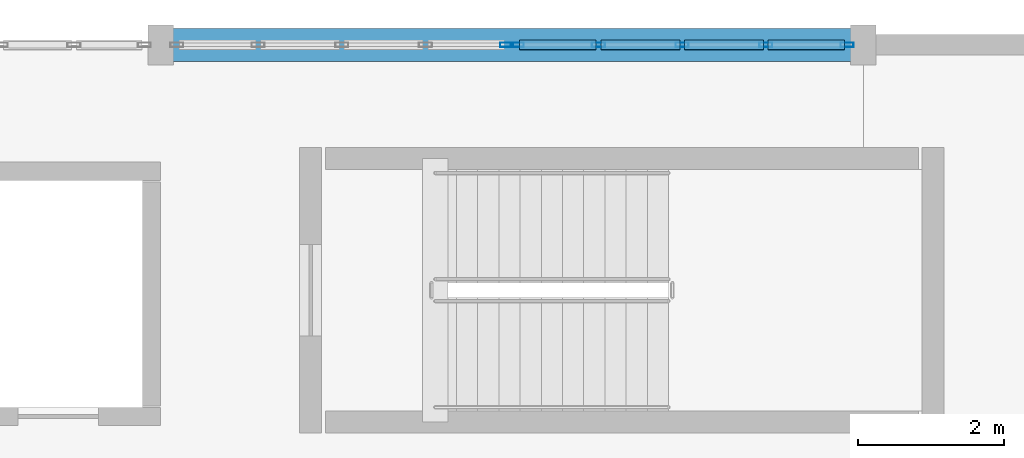
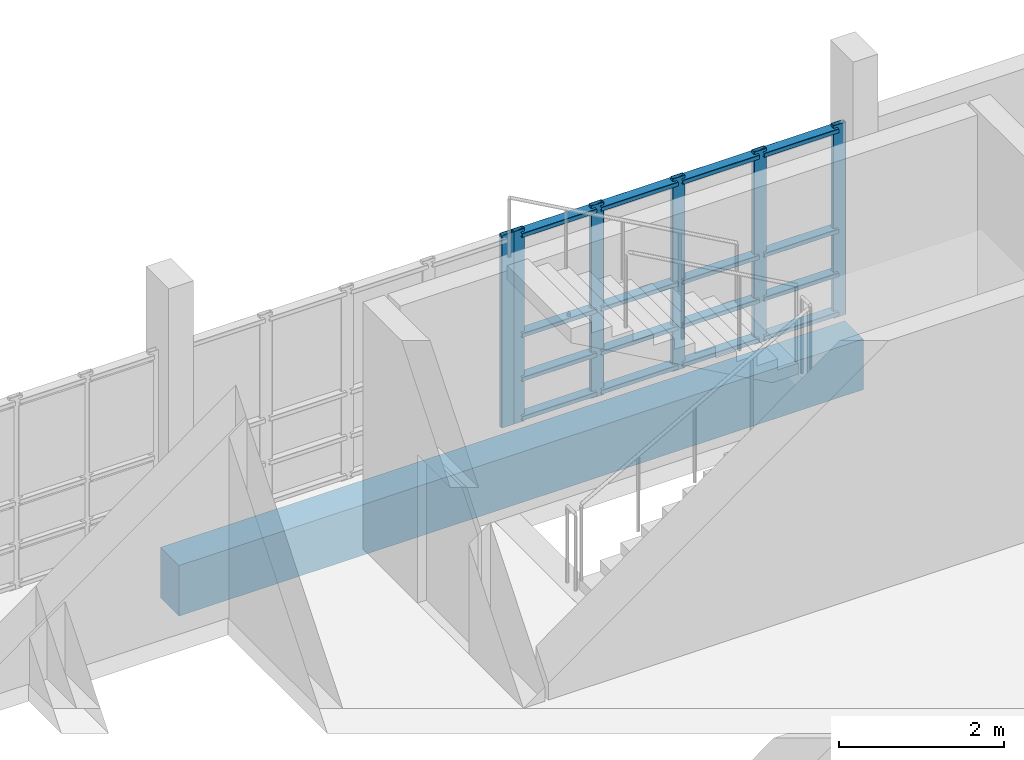
# One storey, part 9 of 25: 22 members, 1 beam, 2 elements without a shape of their own.
"""IFC4 building model written with IfcOpenShell, lengths in metres."""

import ifcopenshell
import ifcopenshell.guid

model = None  # the IFC model being written
_history = None  # IfcOwnerHistory: only IFC2X3 demands one
_inside = {}  # id of a spatial element -> (the spatial element, [elements in it])
_under = {}  # id of a project, library or spatial element -> (it, [spatial elements below it])
_declared = {}  # id of a project -> (the project, [libraries it declares])
_typed = {}  # id of a type object -> (the type object, [elements of that type])
_made_of = {}  # id of a material, layer set ... -> (it, [elements and type objects made of it])


def new_model(schema):
    """Start an empty IFC model of exactly this schema.

    Asked for "IFC4X3", IfcOpenShell would pick the latest addendum, in which some entities
    have other attributes; the version numbers below select the first issue.
    IFC2X3 requires an IfcOwnerHistory on every rooted entity: one is made here for all.
    """
    global model, _history
    if schema == "IFC4X3":
        model = ifcopenshell.file(schema_version=(4, 3, 0, 0))
    else:
        model = ifcopenshell.file(schema=schema)
    _inside.clear()
    _under.clear()
    _declared.clear()
    _typed.clear()
    _made_of.clear()
    _history = None
    if model.schema == "IFC2X3":
        org = make("IfcOrganization", Name="unknown")
        user = make(
            "IfcPersonAndOrganization",
            ThePerson=make("IfcPerson", FamilyName="unknown"),
            TheOrganization=org,
        )
        app = make(
            "IfcApplication",
            ApplicationDeveloper=org,
            Version="unknown",
            ApplicationFullName="unknown",
            ApplicationIdentifier="unknown",
        )
        _history = make(
            "IfcOwnerHistory",
            OwningUser=user,
            OwningApplication=app,
            ChangeAction="ADDED",
            CreationDate=0,
        )
    return model


def make(cls, **values):
    """One entity of the class cls with the attributes given. An attribute that is None is left unset."""
    return model.create_entity(
        cls, **{name: value for name, value in values.items() if value is not None}
    )


def rooted(cls, **values):
    """An entity with a GlobalId (a new one), such as an element, a storey or a relation."""
    return make(cls, GlobalId=ifcopenshell.guid.new(), OwnerHistory=_history, **values)


def si_unit(unit_type, name, prefix=None):
    """IfcSIUnit, for example si_unit("LENGTHUNIT", "METRE", prefix="MILLI")."""
    return make("IfcSIUnit", UnitType=unit_type, Prefix=prefix, Name=name)


def assignment(units):
    """IfcUnitAssignment: the units of a project."""
    return None if units is None else make("IfcUnitAssignment", Units=units)


def point(xyz):
    """IfcCartesianPoint."""
    return None if xyz is None else make("IfcCartesianPoint", Coordinates=xyz)


def direction(xyz):
    """IfcDirection."""
    return None if xyz is None else make("IfcDirection", DirectionRatios=xyz)


def frame(location, z_axis=None, x_axis=None):
    """IfcAxis2Placement3D, a coordinate frame: its origin and axes. An axis left out is left unset."""
    return make(
        "IfcAxis2Placement3D",
        Location=point(location),
        Axis=direction(z_axis),
        RefDirection=direction(x_axis),
    )


def frame_2d(location, x_axis=None):
    """IfcAxis2Placement2D, a coordinate frame in the plane: its origin and x axis."""
    return make(
        "IfcAxis2Placement2D", Location=point(location), RefDirection=direction(x_axis)
    )


def origin():
    """The frame at (0, 0, 0) with its axes left unset."""
    return frame((0.0, 0.0, 0.0))


def origin_2d():
    """The frame at (0, 0) in the plane with its x axis left unset."""
    return frame_2d((0.0, 0.0))


def place(relative_to, where):
    """IfcLocalPlacement: puts the frame where relative to a parent placement (None: the world)."""
    return make(
        "IfcLocalPlacement", PlacementRelTo=relative_to, RelativePlacement=where
    )


def context(
    kind, dimensions, precision=None, world=None, true_north=None, identifier=None
):
    """IfcGeometricRepresentationContext, for example the 3D "Model" context."""
    return make(
        "IfcGeometricRepresentationContext",
        ContextIdentifier=identifier,
        ContextType=kind,
        CoordinateSpaceDimension=dimensions,
        Precision=precision,
        WorldCoordinateSystem=world,
        TrueNorth=true_north,
    )


def subcontext(parent, identifier, kind, view, scale=None):
    """IfcGeometricRepresentationSubContext, for example "Body" below "Model"."""
    return make(
        "IfcGeometricRepresentationSubContext",
        ContextIdentifier=identifier,
        ContextType=kind,
        ParentContext=parent,
        TargetScale=scale,
        TargetView=view,
    )


def project(units=None, contexts=None):
    """IfcProject with its units and contexts."""
    return rooted(
        "IfcProject",
        Name="project",
        RepresentationContexts=contexts,
        UnitsInContext=assignment(units),
    )


def spatial(cls, under=None, at=None, **own):
    """A site, building, storey or space (cls), placed at a placement, below another one or the project."""
    s = rooted(cls, ObjectPlacement=at, **own)
    if under is not None:
        _under.setdefault(under.id(), (under, []))[1].append(s)
    return s


def profile(cls, at=None, kind="AREA", **sizes):
    """A parametric profile (cls). Its sizes go by their IFC names, for example OverallWidth=200.0."""
    return make(cls, ProfileType=kind, Position=at, **sizes)


def rectangle(**sizes):
    """IfcRectangleProfileDef."""
    return profile("IfcRectangleProfileDef", **sizes)


def hollow_rectangle(**sizes):
    """IfcRectangleHollowProfileDef."""
    return profile("IfcRectangleHollowProfileDef", **sizes)


def extrude(swept, where, along, depth):
    """IfcExtrudedAreaSolid: the profile swept, set in the frame where, extruded along a direction by depth."""
    return make(
        "IfcExtrudedAreaSolid",
        SweptArea=swept,
        Position=where,
        ExtrudedDirection=direction(along),
        Depth=depth,
    )


def shape(context_of_items, identifier, shape_type, items):
    """IfcShapeRepresentation: the items that make up one representation, for example the "Body"."""
    return make(
        "IfcShapeRepresentation",
        ContextOfItems=context_of_items,
        RepresentationIdentifier=identifier,
        RepresentationType=shape_type,
        Items=items,
    )


def material(Name=None, Category=None):
    """IfcMaterial."""
    return make("IfcMaterial", Name=Name, Category=Category)


def layer(
    of_material, thickness, ventilated=None, Name=None, Category=None, Priority=None
):
    """IfcMaterialLayer: one layer of a wall or slab, of a material (None: an air gap)."""
    return make(
        "IfcMaterialLayer",
        Material=of_material,
        LayerThickness=thickness,
        IsVentilated=ventilated,
        Name=Name,
        Category=Category,
        Priority=Priority,
    )


def layer_set(layers, Name=None):
    """IfcMaterialLayerSet."""
    return make("IfcMaterialLayerSet", MaterialLayers=layers, LayerSetName=Name)


def material_profile(
    of_material, cross_section, Name=None, Category=None, Priority=None
):
    """IfcMaterialProfile: a cross section and its material."""
    return make(
        "IfcMaterialProfile",
        Name=Name,
        Material=of_material,
        Profile=cross_section,
        Priority=Priority,
        Category=Category,
    )


def profile_set(profiles, Name=None, composite=None):
    """IfcMaterialProfileSet."""
    return make(
        "IfcMaterialProfileSet",
        Name=Name,
        MaterialProfiles=profiles,
        CompositeProfile=composite,
    )


def made_of(thing, what):
    """Note that an element or type object is made of a material, layer set ...; save() writes the relation."""
    if what is not None:
        _made_of.setdefault(what.id(), (what, []))[1].append(thing)
    return thing


def type_object(cls, material=None, **own):
    """A type object (cls), such as IfcWallType, which elements share."""
    return made_of(rooted(cls, **own), material)


def element(
    cls,
    number,
    at=None,
    inside=None,
    cuts=None,
    type_object=None,
    material=None,
    context=None,
    identifier="Body",
    shape_type=None,
    held_by="IfcProductDefinitionShape",
    body=None,
    shapes=None,
    **own,
):
    """One element of the class cls, such as IfcWall. Its Tag is "e" and its number.

    at: its placement. inside: the storey or other place that contains it. cuts: it is an
    opening in that element (IfcRelVoidsElement). A single representation is given by context,
    identifier, shape_type and body (its items); several are given by shapes. held_by: the class
    of the entity that holds the representations. save() writes the other relations.
    """
    e = rooted(cls, Tag="e%d" % number, ObjectPlacement=at, **own)
    if body is not None:
        shapes = [shape(context, identifier, shape_type, body)]
    if shapes is not None:
        e.Representation = make(held_by, Representations=shapes)
    if inside is not None:
        _inside.setdefault(inside.id(), (inside, []))[1].append(e)
    if cuts is not None:
        rooted(
            "IfcRelVoidsElement", RelatingBuildingElement=cuts, RelatedOpeningElement=e
        )
    if type_object is not None:
        _typed.setdefault(type_object.id(), (type_object, []))[1].append(e)
    return made_of(e, material)


def aggregate(whole, parts):
    """IfcRelAggregates: a whole, such as a stair, and the parts it consists of."""
    return rooted("IfcRelAggregates", RelatingObject=whole, RelatedObjects=parts)


def save(model, path):
    """Write the relations noted so far, then the file.

    IfcRelAggregates (storeys below a building ...), IfcRelContainedInSpatialStructure (elements
    in a storey), IfcRelDefinesByType, IfcRelAssociatesMaterial and IfcRelDeclares: one each for
    every whole, place, type object, material and project.
    """
    for whole, parts in _under.values():
        aggregate(whole, parts)
    for where, things in _inside.values():
        rooted(
            "IfcRelContainedInSpatialStructure",
            RelatedElements=things,
            RelatingStructure=where,
        )
    for kind, things in _typed.values():
        rooted("IfcRelDefinesByType", RelatedObjects=things, RelatingType=kind)
    for what, things in _made_of.values():
        rooted("IfcRelAssociatesMaterial", RelatedObjects=things, RelatingMaterial=what)
    for by, libraries in _declared.values():
        rooted("IfcRelDeclares", RelatingContext=by, RelatedDefinitions=libraries)
    model.write(path)


model = new_model("IFC4")

# Units and contexts
model_context = context("Model", 3, precision=1e-05, world=origin(), true_north=direction((0.0, 1.0)))
body_context = subcontext(model_context, "Body", "Model", "MODEL_VIEW")
ifc_project = project(units=[si_unit("LENGTHUNIT", "METRE"), si_unit("AREAUNIT", "SQUARE_METRE"), si_unit("VOLUMEUNIT", "CUBIC_METRE"), si_unit("PLANEANGLEUNIT", "RADIAN"), si_unit("MASSUNIT", "GRAM", prefix="KILO")], contexts=[model_context])

# Site, building, storey
site_placement = place(None, origin())
site = spatial("IfcSite", under=ifc_project, at=site_placement, CompositionType="ELEMENT")
building_placement = place(site_placement, origin())
building = spatial("IfcBuilding", under=site, at=building_placement, Name="Kisaragi Civic Commons", CompositionType="ELEMENT")
storey_placement = place(building_placement, frame((0.0, 0.0, 13.5)))
storey = spatial("IfcBuildingStorey", under=building, at=storey_placement, Name="L03", CompositionType="ELEMENT", Elevation=13.5)

# Curtain wall, member
ifc_material_1 = material(Name="Thermally broken anodized aluminium and low-E double glazing", Category="aluminium")
ifc_layer = layer(ifc_material_1, 0.179931640625, Name="Thermally broken anodized aluminium and low-E double glazing", Category="aluminium")
ifc_layer_set = layer_set([ifc_layer], Name="Thermally broken anodized aluminium and low-E double glazing")
curtain_wall_type = type_object("IfcCurtainWallType", Name="CW-01", PredefinedType="NOTDEFINED", material=ifc_layer_set)
curtain_wall_1_placement = place(storey_placement, origin())
curtain_wall_1 = element("IfcCurtainWall", 1, at=curtain_wall_1_placement, inside=storey, type_object=curtain_wall_type, Name="L03 curtain wall CW-01 CW-V4-L03-099", PredefinedType="NOTDEFINED")
ifc_material_profile_1 = material_profile(ifc_material_1, hollow_rectangle(XDim=0.06494140625, YDim=0.179931640625, WallThickness=0.00439453125, InnerFilletRadius=0.00439453125, OuterFilletRadius=0.009033203125, at=origin_2d()), Name="CWM-65x180x4.5", Category="aluminium")
ifc_profile_set_1 = profile_set([ifc_material_profile_1], Name="Thermally broken anodized aluminium and low-E double glazing")
member_type_1 = type_object("IfcMemberType", Name="CWM-02", PredefinedType="MULLION", material=ifc_profile_set_1)
member_1_placement = place(storey_placement, frame((118.7275390625, 118.800048828125, 0.0), z_axis=(0.0, 0.0, 1.0), x_axis=(0.0, 1.0, 0.0)))
member_1 = element("IfcMember", 2, at=member_1_placement, type_object=member_type_1, Name="CW-01 mullion 5", PredefinedType="MULLION", context=body_context, shape_type="SweptSolid", body=[
    extrude(hollow_rectangle(XDim=0.06494140625, YDim=0.179931640625, WallThickness=0.00439453125, InnerFilletRadius=0.00439453125, OuterFilletRadius=0.009033203125, at=origin_2d()), origin(), (0.0, 0.0, 1.0), 2.85498046875),
])
aggregate(curtain_wall_1, [member_1])

# Curtain wall, members
curtain_wall_2_placement = place(storey_placement, origin())
curtain_wall_2 = element("IfcCurtainWall", 3, at=curtain_wall_2_placement, inside=storey, type_object=curtain_wall_type, Name="L03 curtain wall CW-01 CW-V4-L03-100", PredefinedType="NOTDEFINED")
member_2_placement = place(storey_placement, frame((118.87255859375, 118.800048828125, 0.0), z_axis=(0.0, 0.0, 1.0), x_axis=(0.0, 1.0, 0.0)))
member_2 = element("IfcMember", 4, at=member_2_placement, type_object=member_type_1, Name="CW-01 mullion 1", PredefinedType="MULLION", context=body_context, shape_type="SweptSolid", body=[
    extrude(hollow_rectangle(XDim=0.06494140625, YDim=0.179931640625, WallThickness=0.00439453125, InnerFilletRadius=0.00439453125, OuterFilletRadius=0.009033203125, at=origin_2d()), origin(), (0.0, 0.0, 1.0), 2.85498046875),
])
member_3_placement = place(storey_placement, frame((119.982421875, 118.800048828125, 0.0), z_axis=(0.0, 0.0, 1.0), x_axis=(0.0, 1.0, 0.0)))
member_3 = element("IfcMember", 5, at=member_3_placement, type_object=member_type_1, Name="CW-01 mullion 2", PredefinedType="MULLION", context=body_context, shape_type="SweptSolid", body=[
    extrude(hollow_rectangle(XDim=0.06494140625, YDim=0.179931640625, WallThickness=0.00439453125, InnerFilletRadius=0.00439453125, OuterFilletRadius=0.009033203125, at=origin_2d()), origin(), (0.0, 0.0, 1.0), 2.85498046875),
])
member_4_placement = place(storey_placement, frame((121.125, 118.800048828125, 0.0), z_axis=(0.0, 0.0, 1.0), x_axis=(0.0, 1.0, 0.0)))
member_4 = element("IfcMember", 6, at=member_4_placement, type_object=member_type_1, Name="CW-01 mullion 3", PredefinedType="MULLION", context=body_context, shape_type="SweptSolid", body=[
    extrude(hollow_rectangle(XDim=0.06494140625, YDim=0.179931640625, WallThickness=0.00439453125, InnerFilletRadius=0.00439453125, OuterFilletRadius=0.009033203125, at=origin_2d()), origin(), (0.0, 0.0, 1.0), 2.85498046875),
])
member_5_placement = place(storey_placement, frame((122.267578125, 118.800048828125, 0.0), z_axis=(0.0, 0.0, 1.0), x_axis=(0.0, 1.0, 0.0)))
member_5 = element("IfcMember", 7, at=member_5_placement, type_object=member_type_1, Name="CW-01 mullion 4", PredefinedType="MULLION", context=body_context, shape_type="SweptSolid", body=[
    extrude(hollow_rectangle(XDim=0.06494140625, YDim=0.179931640625, WallThickness=0.00439453125, InnerFilletRadius=0.00439453125, OuterFilletRadius=0.009033203125, at=origin_2d()), origin(), (0.0, 0.0, 1.0), 2.85498046875),
])
member_6_placement = place(storey_placement, frame((123.37744140625, 118.800048828125, 0.0), z_axis=(0.0, 0.0, 1.0), x_axis=(0.0, 1.0, 0.0)))
member_6 = element("IfcMember", 8, at=member_6_placement, type_object=member_type_1, Name="CW-01 mullion 5", PredefinedType="MULLION", context=body_context, shape_type="SweptSolid", body=[
    extrude(hollow_rectangle(XDim=0.06494140625, YDim=0.179931640625, WallThickness=0.00439453125, InnerFilletRadius=0.00439453125, OuterFilletRadius=0.009033203125, at=origin_2d()), origin(), (0.0, 0.0, 1.0), 2.85498046875),
])
ifc_material_profile_2 = material_profile(ifc_material_1, hollow_rectangle(XDim=0.139892578125, YDim=0.06494140625, WallThickness=0.00439453125, InnerFilletRadius=0.00439453125, OuterFilletRadius=0.009033203125, at=origin_2d()), Name="CWT-65x140x4.5", Category="aluminium")
ifc_profile_set_2 = profile_set([ifc_material_profile_2], Name="Thermally broken anodized aluminium and low-E double glazing")
member_type_2 = type_object("IfcMemberType", Name="CWT-02", PredefinedType="USERDEFINED", material=ifc_profile_set_2)
member_7_placement = place(storey_placement, frame((118.905029296875, 118.800048828125, 0.070068359375), z_axis=(1.0, 0.0, 0.0), x_axis=(0.0, 1.0, 0.0)))
member_7 = element("IfcMember", 9, at=member_7_placement, type_object=member_type_2, Name="CW-01 transom 1.1", ObjectType="TRANSOM", PredefinedType="USERDEFINED", context=body_context, shape_type="SweptSolid", body=[
    extrude(hollow_rectangle(XDim=0.139892578125, YDim=0.06494140625, WallThickness=0.00439453125, InnerFilletRadius=0.00439453125, OuterFilletRadius=0.009033203125, at=origin_2d()), origin(), (0.0, 0.0, 1.0), 1.044921875),
])
member_8_placement = place(storey_placement, frame((118.905029296875, 118.800048828125, 0.64990234375), z_axis=(1.0, 0.0, 0.0), x_axis=(0.0, 1.0, 0.0)))
member_8 = element("IfcMember", 10, at=member_8_placement, type_object=member_type_2, Name="CW-01 transom 1.2", ObjectType="TRANSOM", PredefinedType="USERDEFINED", context=body_context, shape_type="SweptSolid", body=[
    extrude(hollow_rectangle(XDim=0.139892578125, YDim=0.06494140625, WallThickness=0.00439453125, InnerFilletRadius=0.00439453125, OuterFilletRadius=0.009033203125, at=origin_2d()), origin(), (0.0, 0.0, 1.0), 1.044921875),
])
member_9_placement = place(storey_placement, frame((118.905029296875, 118.800048828125, 1.300048828125), z_axis=(1.0, 0.0, 0.0), x_axis=(0.0, 1.0, 0.0)))
member_9 = element("IfcMember", 11, at=member_9_placement, type_object=member_type_2, Name="CW-01 transom 1.3", ObjectType="TRANSOM", PredefinedType="USERDEFINED", context=body_context, shape_type="SweptSolid", body=[
    extrude(hollow_rectangle(XDim=0.139892578125, YDim=0.06494140625, WallThickness=0.00439453125, InnerFilletRadius=0.00439453125, OuterFilletRadius=0.009033203125, at=origin_2d()), origin(), (0.0, 0.0, 1.0), 1.044921875),
])
member_10_placement = place(storey_placement, frame((118.905029296875, 118.800048828125, 2.784912109375), z_axis=(1.0, 0.0, 0.0), x_axis=(0.0, 1.0, 0.0)))
member_10 = element("IfcMember", 12, at=member_10_placement, type_object=member_type_2, Name="CW-01 transom 1.4", ObjectType="TRANSOM", PredefinedType="USERDEFINED", context=body_context, shape_type="SweptSolid", body=[
    extrude(hollow_rectangle(XDim=0.139892578125, YDim=0.06494140625, WallThickness=0.00439453125, InnerFilletRadius=0.00439453125, OuterFilletRadius=0.009033203125, at=origin_2d()), origin(), (0.0, 0.0, 1.0), 1.044921875),
])
member_11_placement = place(storey_placement, frame((120.014892578125, 118.800048828125, 0.070068359375), z_axis=(1.0, 0.0, 0.0), x_axis=(0.0, 1.0, 0.0)))
member_11 = element("IfcMember", 13, at=member_11_placement, type_object=member_type_2, Name="CW-01 transom 2.1", ObjectType="TRANSOM", PredefinedType="USERDEFINED", context=body_context, shape_type="SweptSolid", body=[
    extrude(hollow_rectangle(XDim=0.139892578125, YDim=0.06494140625, WallThickness=0.00439453125, InnerFilletRadius=0.00439453125, OuterFilletRadius=0.009033203125, at=origin_2d()), origin(), (0.0, 0.0, 1.0), 1.07763671875),
])
member_12_placement = place(storey_placement, frame((120.014892578125, 118.800048828125, 0.64990234375), z_axis=(1.0, 0.0, 0.0), x_axis=(0.0, 1.0, 0.0)))
member_12 = element("IfcMember", 14, at=member_12_placement, type_object=member_type_2, Name="CW-01 transom 2.2", ObjectType="TRANSOM", PredefinedType="USERDEFINED", context=body_context, shape_type="SweptSolid", body=[
    extrude(hollow_rectangle(XDim=0.139892578125, YDim=0.06494140625, WallThickness=0.00439453125, InnerFilletRadius=0.00439453125, OuterFilletRadius=0.009033203125, at=origin_2d()), origin(), (0.0, 0.0, 1.0), 1.07763671875),
])
member_13_placement = place(storey_placement, frame((120.014892578125, 118.800048828125, 1.300048828125), z_axis=(1.0, 0.0, 0.0), x_axis=(0.0, 1.0, 0.0)))
member_13 = element("IfcMember", 15, at=member_13_placement, type_object=member_type_2, Name="CW-01 transom 2.3", ObjectType="TRANSOM", PredefinedType="USERDEFINED", context=body_context, shape_type="SweptSolid", body=[
    extrude(hollow_rectangle(XDim=0.139892578125, YDim=0.06494140625, WallThickness=0.00439453125, InnerFilletRadius=0.00439453125, OuterFilletRadius=0.009033203125, at=origin_2d()), origin(), (0.0, 0.0, 1.0), 1.07763671875),
])
member_14_placement = place(storey_placement, frame((120.014892578125, 118.800048828125, 2.784912109375), z_axis=(1.0, 0.0, 0.0), x_axis=(0.0, 1.0, 0.0)))
member_14 = element("IfcMember", 16, at=member_14_placement, type_object=member_type_2, Name="CW-01 transom 2.4", ObjectType="TRANSOM", PredefinedType="USERDEFINED", context=body_context, shape_type="SweptSolid", body=[
    extrude(hollow_rectangle(XDim=0.139892578125, YDim=0.06494140625, WallThickness=0.00439453125, InnerFilletRadius=0.00439453125, OuterFilletRadius=0.009033203125, at=origin_2d()), origin(), (0.0, 0.0, 1.0), 1.07763671875),
])
member_15_placement = place(storey_placement, frame((121.157470703125, 118.800048828125, 0.070068359375), z_axis=(1.0, 0.0, 0.0), x_axis=(0.0, 1.0, 0.0)))
member_15 = element("IfcMember", 17, at=member_15_placement, type_object=member_type_2, Name="CW-01 transom 3.1", ObjectType="TRANSOM", PredefinedType="USERDEFINED", context=body_context, shape_type="SweptSolid", body=[
    extrude(hollow_rectangle(XDim=0.139892578125, YDim=0.06494140625, WallThickness=0.00439453125, InnerFilletRadius=0.00439453125, OuterFilletRadius=0.009033203125, at=origin_2d()), origin(), (0.0, 0.0, 1.0), 1.07763671875),
])
member_16_placement = place(storey_placement, frame((121.157470703125, 118.800048828125, 0.64990234375), z_axis=(1.0, 0.0, 0.0), x_axis=(0.0, 1.0, 0.0)))
member_16 = element("IfcMember", 18, at=member_16_placement, type_object=member_type_2, Name="CW-01 transom 3.2", ObjectType="TRANSOM", PredefinedType="USERDEFINED", context=body_context, shape_type="SweptSolid", body=[
    extrude(hollow_rectangle(XDim=0.139892578125, YDim=0.06494140625, WallThickness=0.00439453125, InnerFilletRadius=0.00439453125, OuterFilletRadius=0.009033203125, at=origin_2d()), origin(), (0.0, 0.0, 1.0), 1.07763671875),
])
member_17_placement = place(storey_placement, frame((121.157470703125, 118.800048828125, 1.300048828125), z_axis=(1.0, 0.0, 0.0), x_axis=(0.0, 1.0, 0.0)))
member_17 = element("IfcMember", 19, at=member_17_placement, type_object=member_type_2, Name="CW-01 transom 3.3", ObjectType="TRANSOM", PredefinedType="USERDEFINED", context=body_context, shape_type="SweptSolid", body=[
    extrude(hollow_rectangle(XDim=0.139892578125, YDim=0.06494140625, WallThickness=0.00439453125, InnerFilletRadius=0.00439453125, OuterFilletRadius=0.009033203125, at=origin_2d()), origin(), (0.0, 0.0, 1.0), 1.07763671875),
])
member_18_placement = place(storey_placement, frame((121.157470703125, 118.800048828125, 2.784912109375), z_axis=(1.0, 0.0, 0.0), x_axis=(0.0, 1.0, 0.0)))
member_18 = element("IfcMember", 20, at=member_18_placement, type_object=member_type_2, Name="CW-01 transom 3.4", ObjectType="TRANSOM", PredefinedType="USERDEFINED", context=body_context, shape_type="SweptSolid", body=[
    extrude(hollow_rectangle(XDim=0.139892578125, YDim=0.06494140625, WallThickness=0.00439453125, InnerFilletRadius=0.00439453125, OuterFilletRadius=0.009033203125, at=origin_2d()), origin(), (0.0, 0.0, 1.0), 1.07763671875),
])
member_19_placement = place(storey_placement, frame((122.300048828125, 118.800048828125, 0.070068359375), z_axis=(1.0, 0.0, 0.0), x_axis=(0.0, 1.0, 0.0)))
member_19 = element("IfcMember", 21, at=member_19_placement, type_object=member_type_2, Name="CW-01 transom 4.1", ObjectType="TRANSOM", PredefinedType="USERDEFINED", context=body_context, shape_type="SweptSolid", body=[
    extrude(hollow_rectangle(XDim=0.139892578125, YDim=0.06494140625, WallThickness=0.00439453125, InnerFilletRadius=0.00439453125, OuterFilletRadius=0.009033203125, at=origin_2d()), origin(), (0.0, 0.0, 1.0), 1.044921875),
])
member_20_placement = place(storey_placement, frame((122.300048828125, 118.800048828125, 0.64990234375), z_axis=(1.0, 0.0, 0.0), x_axis=(0.0, 1.0, 0.0)))
member_20 = element("IfcMember", 22, at=member_20_placement, type_object=member_type_2, Name="CW-01 transom 4.2", ObjectType="TRANSOM", PredefinedType="USERDEFINED", context=body_context, shape_type="SweptSolid", body=[
    extrude(hollow_rectangle(XDim=0.139892578125, YDim=0.06494140625, WallThickness=0.00439453125, InnerFilletRadius=0.00439453125, OuterFilletRadius=0.009033203125, at=origin_2d()), origin(), (0.0, 0.0, 1.0), 1.044921875),
])
member_21_placement = place(storey_placement, frame((122.300048828125, 118.800048828125, 1.300048828125), z_axis=(1.0, 0.0, 0.0), x_axis=(0.0, 1.0, 0.0)))
member_21 = element("IfcMember", 23, at=member_21_placement, type_object=member_type_2, Name="CW-01 transom 4.3", ObjectType="TRANSOM", PredefinedType="USERDEFINED", context=body_context, shape_type="SweptSolid", body=[
    extrude(hollow_rectangle(XDim=0.139892578125, YDim=0.06494140625, WallThickness=0.00439453125, InnerFilletRadius=0.00439453125, OuterFilletRadius=0.009033203125, at=origin_2d()), origin(), (0.0, 0.0, 1.0), 1.044921875),
])
member_22_placement = place(storey_placement, frame((122.300048828125, 118.800048828125, 2.784912109375), z_axis=(1.0, 0.0, 0.0), x_axis=(0.0, 1.0, 0.0)))
member_22 = element("IfcMember", 24, at=member_22_placement, type_object=member_type_2, Name="CW-01 transom 4.4", ObjectType="TRANSOM", PredefinedType="USERDEFINED", context=body_context, shape_type="SweptSolid", body=[
    extrude(hollow_rectangle(XDim=0.139892578125, YDim=0.06494140625, WallThickness=0.00439453125, InnerFilletRadius=0.00439453125, OuterFilletRadius=0.009033203125, at=origin_2d()), origin(), (0.0, 0.0, 1.0), 1.044921875),
])
aggregate(curtain_wall_2, [member_2, member_3, member_4, member_5, member_6, member_7, member_8, member_9, member_10, member_11, member_12, member_13, member_14, member_15, member_16, member_17, member_18, member_19, member_20, member_21, member_22])

# Beam
ifc_material_2 = material(Name="Concrete Fc30", Category="concrete")
ifc_material_profile_3 = material_profile(ifc_material_2, rectangle(XDim=0.449951171875, YDim=0.75, at=origin_2d()), Name="RC-450x750", Category="concrete")
ifc_profile_set_3 = profile_set([ifc_material_profile_3], Name="Concrete Fc30")
beam_type = type_object("IfcBeamType", Name="SPB-04", PredefinedType="SPANDREL", material=ifc_profile_set_3)
beam_placement = place(storey_placement, frame((114.0, 118.800048828125, -0.669921875), z_axis=(1.0, 0.0, 0.0), x_axis=(0.0, 1.0, 0.0)))
element("IfcBeam", 25, at=beam_placement, inside=storey, type_object=beam_type, Name="L03 girder SPB-04 334", PredefinedType="SPANDREL", context=body_context, shape_type="SweptSolid", body=[
    extrude(rectangle(XDim=0.449951171875, YDim=0.75, at=origin_2d()), origin(), (0.0, 0.0, 1.0), 9.60009765625),
])

save(model, "model.ifc")
